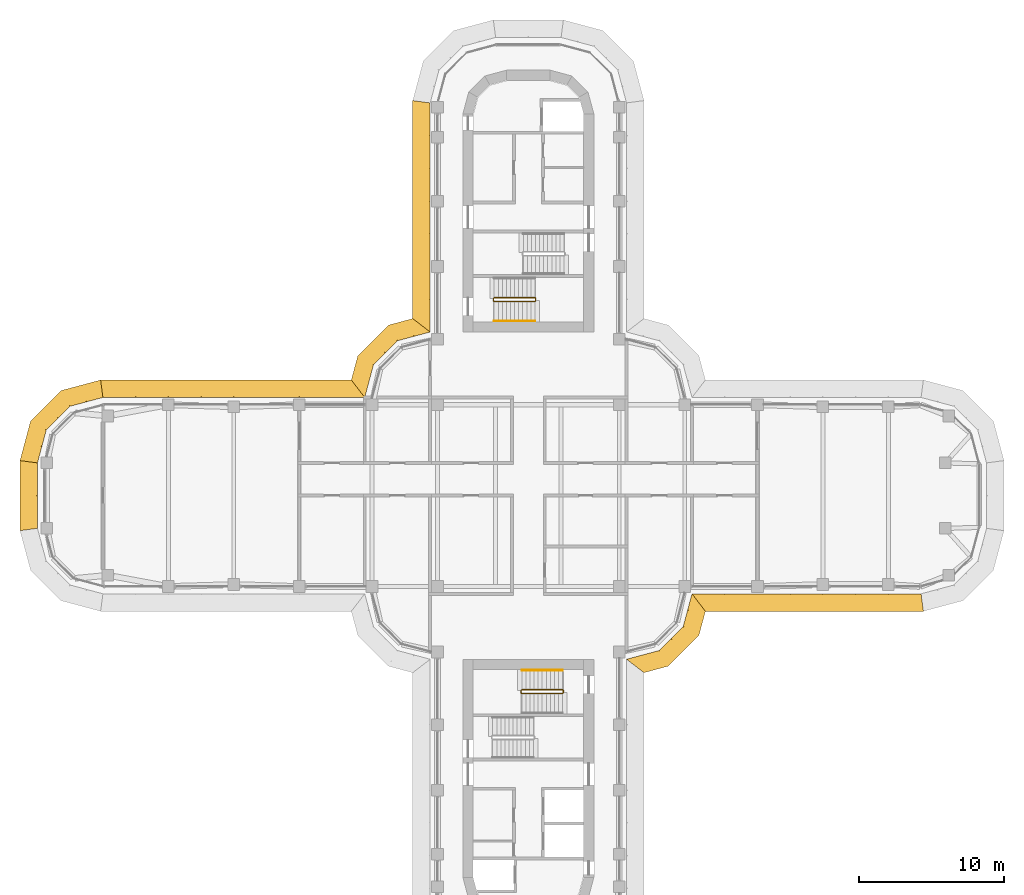
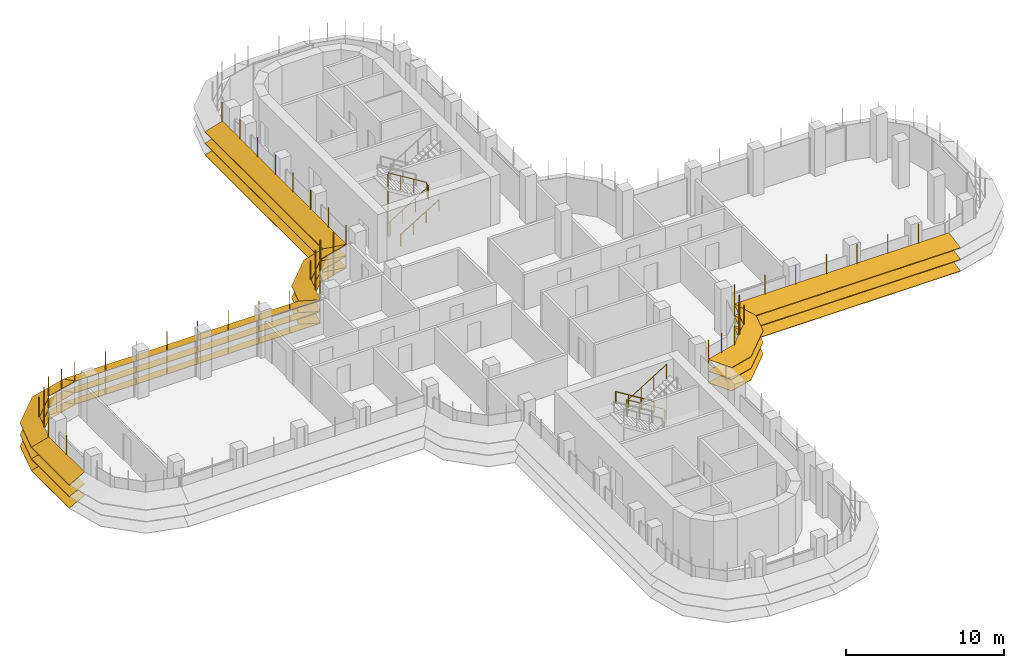
# One storey, part 18 of 20: 7 shading devices, 4 railings.
"""IFC4 building model written with IfcOpenShell, lengths in metres."""

from ifc_helpers import new_model, si_unit, direction, frame, origin, origin_2d, place, context, subcontext, project, spatial, polyline, circle, outline, extrude, faceted_brep, source, transform, mapped, material, type_object, element, save


model = new_model("IFC4")

# Units and contexts
model_context = context("Model", 3, precision=1e-05, world=origin(), true_north=direction((0.0, 1.0)))
body_context = subcontext(model_context, "Body", "Model", "MODEL_VIEW")
ifc_project = project(units=[si_unit("LENGTHUNIT", "METRE"), si_unit("AREAUNIT", "SQUARE_METRE"), si_unit("VOLUMEUNIT", "CUBIC_METRE"), si_unit("PLANEANGLEUNIT", "RADIAN"), si_unit("MASSUNIT", "GRAM", prefix="KILO")], contexts=[model_context])

# Site, building, storey
site_placement = place(None, origin())
site = spatial("IfcSite", under=ifc_project, at=site_placement, CompositionType="ELEMENT")
building_placement = place(site_placement, origin())
building = spatial("IfcBuilding", under=site, at=building_placement, Name="Zarbagh Exchange Tower", CompositionType="ELEMENT")
storey_placement = place(building_placement, frame((0.0, 0.0, 148.60009765625)))
storey = spatial("IfcBuildingStorey", under=building, at=storey_placement, Name="L35", CompositionType="ELEMENT", Elevation=148.60009765625)

# Railings
ifc_material_1 = material(Name="Stainless steel", Category="steel")
railing_type_1 = type_object("IfcRailingType", Name="Stair guard 1100 mm", PredefinedType="GUARDRAIL", material=ifc_material_1)
railing_1_placement = place(storey_placement, frame((0.5, 13.39990234375, 1.89990234375)))
element("IfcRailing", 1, at=railing_1_placement, inside=storey, type_object=railing_type_1, Name="ST2 stair guard 1", PredefinedType="GUARDRAIL", context=body_context, shape_type="SweptSolid", body=[
    extrude(circle(Radius=0.02392578125, at=origin_2d()), frame((0.0, 0.0, 1.076171875), z_axis=(0.0, 1.0, 0.0), x_axis=(-1.0, 0.0, 0.0)), (0.0, 0.0, 1.0), 0.150146484375),
    extrude(circle(Radius=0.02392578125, at=origin_2d()), frame((0.0, 0.150146484375, 1.076171875), z_axis=(-0.268277960024, 0.268277960024, 0.925231793839), x_axis=(-0.707106781187, -0.707106781187, 0.0)), (0.0, 0.0, 1.0), 0.1865234375),
    extrude(circle(Radius=0.02392578125, at=origin_2d()), frame((-0.050048828125, 0.2001953125, 1.24853515625), z_axis=(-0.851089632645, 0.0, 0.525020415988), x_axis=(0.0, -1.0, 0.0)), (0.0, 0.0, 1.0), 3.2900390625),
    extrude(circle(Radius=0.02392578125, at=origin_2d()), frame((-2.85009765625, 0.2001953125, 2.97607421875), z_axis=(-0.013104908129, -0.013169147875, -0.999827402569), x_axis=(0.708833529934, -0.705375805398, 0.0)), (0.0, 0.0, 1.0), 3.800537109375),
    extrude(circle(Radius=0.02392578125, at=origin_2d()), frame((-2.89990234375, 0.150146484375, -0.82373046875), z_axis=(0.0, -1.0, 0.0), x_axis=(1.0, 0.0, 0.0)), (0.0, 0.0, 1.0), 0.150146484375),
    extrude(circle(Radius=0.02392578125, at=origin_2d()), frame((-2.89990234375, 0.0, -0.82373046875), z_axis=(0.26715648603, -0.26715648603, 0.925880566782), x_axis=(0.707106781187, 0.707106781187, 0.0)), (0.0, 0.0, 1.0), 0.1865234375),
    extrude(circle(Radius=0.02392578125, at=origin_2d()), frame((-2.85009765625, -0.0498046875, -0.6513671875), z_axis=(0.851089632645, 0.0, 0.525020415988), x_axis=(0.0, 1.0, 0.0)), (0.0, 0.0, 1.0), 3.2900390625),
    extrude(circle(Radius=0.02099609375, at=origin_2d()), origin(), (0.0, 0.0, 1.0), 1.052001953125),
    extrude(circle(Radius=0.02099609375, at=origin_2d()), frame((0.0, 0.150146484375, 0.0)), (0.0, 0.0, 1.0), 1.052001953125),
    extrude(circle(Radius=0.02099609375, at=origin_2d()), frame((-0.050048828125, 0.2001953125, 0.172607421875)), (0.0, 0.0, 1.0), 1.052001953125),
    extrude(circle(Radius=0.02099609375, at=origin_2d()), frame((-0.9833984375, 0.2001953125, 0.748291015625)), (0.0, 0.0, 1.0), 1.052001953125),
    extrude(circle(Radius=0.02099609375, at=origin_2d()), frame((-1.916748046875, 0.2001953125, 1.32421875)), (0.0, 0.0, 1.0), 1.052001953125),
    extrude(circle(Radius=0.02099609375, at=origin_2d()), frame((-2.85009765625, 0.2001953125, 1.89990234375)), (0.0, 0.0, 1.0), 1.052001953125),
    extrude(circle(Radius=0.02099609375, at=origin_2d()), frame((-2.862548828125, 0.187744140625, 0.949951171875)), (0.0, 0.0, 1.0), 1.052001953125),
    extrude(circle(Radius=0.02099609375, at=origin_2d()), frame((-2.875, 0.17529296875, 0.0)), (0.0, 0.0, 1.0), 1.052001953125),
    extrude(circle(Radius=0.02099609375, at=origin_2d()), frame((-2.887451171875, 0.16259765625, -0.949951171875)), (0.0, 0.0, 1.0), 1.052001953125),
    extrude(circle(Radius=0.02099609375, at=origin_2d()), frame((-2.89990234375, 0.150146484375, -1.89990234375)), (0.0, 0.0, 1.0), 1.052001953125),
    extrude(circle(Radius=0.02099609375, at=origin_2d()), frame((-2.89990234375, 0.0, -1.89990234375)), (0.0, 0.0, 1.0), 1.052001953125),
    extrude(circle(Radius=0.02099609375, at=origin_2d()), frame((-2.85009765625, -0.0498046875, -1.727294921875)), (0.0, 0.0, 1.0), 1.052001953125),
    extrude(circle(Radius=0.02099609375, at=origin_2d()), frame((-1.916748046875, -0.0498046875, -1.151611328125)), (0.0, 0.0, 1.0), 1.052001953125),
    extrude(circle(Radius=0.02099609375, at=origin_2d()), frame((-0.9833984375, -0.0498046875, -0.57568359375)), (0.0, 0.0, 1.0), 1.052001953125),
    extrude(circle(Radius=0.02099609375, at=origin_2d()), frame((-0.050048828125, -0.0498046875, 0.0)), (0.0, 0.0, 1.0), 1.052001953125),
])
railing_2_placement = place(storey_placement, frame((-0.5, -13.39990234375, 1.89990234375)))
element("IfcRailing", 2, at=railing_2_placement, inside=storey, type_object=railing_type_1, Name="ST4 stair guard 1", PredefinedType="GUARDRAIL", context=body_context, shape_type="SweptSolid", body=[
    extrude(circle(Radius=0.02392578125, at=origin_2d()), frame((0.0, 0.0, 1.076171875), z_axis=(0.0, -1.0, 0.0), x_axis=(1.0, 0.0, 0.0)), (0.0, 0.0, 1.0), 0.150146484375),
    extrude(circle(Radius=0.02392578125, at=origin_2d()), frame((0.0, -0.150146484375, 1.076171875), z_axis=(0.268277960024, -0.268277960024, 0.925231793839), x_axis=(0.707106781187, 0.707106781187, 0.0)), (0.0, 0.0, 1.0), 0.1865234375),
    extrude(circle(Radius=0.02392578125, at=origin_2d()), frame((0.050048828125, -0.2001953125, 1.24853515625), z_axis=(0.851089632645, 0.0, 0.525020415988), x_axis=(0.0, 1.0, 0.0)), (0.0, 0.0, 1.0), 3.2900390625),
    extrude(circle(Radius=0.02392578125, at=origin_2d()), frame((2.85009765625, -0.2001953125, 2.97607421875), z_axis=(0.013104908129, 0.013169147875, -0.999827402569), x_axis=(-0.708833529934, 0.705375805398, 0.0)), (0.0, 0.0, 1.0), 3.800537109375),
    extrude(circle(Radius=0.02392578125, at=origin_2d()), frame((2.89990234375, -0.150146484375, -0.82373046875), z_axis=(0.0, 1.0, 0.0), x_axis=(-1.0, 0.0, 0.0)), (0.0, 0.0, 1.0), 0.150146484375),
    extrude(circle(Radius=0.02392578125, at=origin_2d()), frame((2.89990234375, 0.0, -0.82373046875), z_axis=(-0.26715648603, 0.26715648603, 0.925880566782), x_axis=(-0.707106781187, -0.707106781187, 0.0)), (0.0, 0.0, 1.0), 0.1865234375),
    extrude(circle(Radius=0.02392578125, at=origin_2d()), frame((2.85009765625, 0.0498046875, -0.6513671875), z_axis=(-0.851089632645, 0.0, 0.525020415988), x_axis=(0.0, -1.0, 0.0)), (0.0, 0.0, 1.0), 3.2900390625),
    extrude(circle(Radius=0.02099609375, at=origin_2d()), origin(), (0.0, 0.0, 1.0), 1.052001953125),
    extrude(circle(Radius=0.02099609375, at=origin_2d()), frame((0.0, -0.150146484375, 0.0)), (0.0, 0.0, 1.0), 1.052001953125),
    extrude(circle(Radius=0.02099609375, at=origin_2d()), frame((0.050048828125, -0.2001953125, 0.172607421875)), (0.0, 0.0, 1.0), 1.052001953125),
    extrude(circle(Radius=0.02099609375, at=origin_2d()), frame((0.9833984375, -0.2001953125, 0.748291015625)), (0.0, 0.0, 1.0), 1.052001953125),
    extrude(circle(Radius=0.02099609375, at=origin_2d()), frame((1.916748046875, -0.2001953125, 1.32421875)), (0.0, 0.0, 1.0), 1.052001953125),
    extrude(circle(Radius=0.02099609375, at=origin_2d()), frame((2.85009765625, -0.2001953125, 1.89990234375)), (0.0, 0.0, 1.0), 1.052001953125),
    extrude(circle(Radius=0.02099609375, at=origin_2d()), frame((2.862548828125, -0.187744140625, 0.949951171875)), (0.0, 0.0, 1.0), 1.052001953125),
    extrude(circle(Radius=0.02099609375, at=origin_2d()), frame((2.875, -0.17529296875, 0.0)), (0.0, 0.0, 1.0), 1.052001953125),
    extrude(circle(Radius=0.02099609375, at=origin_2d()), frame((2.887451171875, -0.16259765625, -0.949951171875)), (0.0, 0.0, 1.0), 1.052001953125),
    extrude(circle(Radius=0.02099609375, at=origin_2d()), frame((2.89990234375, -0.150146484375, -1.89990234375)), (0.0, 0.0, 1.0), 1.052001953125),
    extrude(circle(Radius=0.02099609375, at=origin_2d()), frame((2.89990234375, 0.0, -1.89990234375)), (0.0, 0.0, 1.0), 1.052001953125),
    extrude(circle(Radius=0.02099609375, at=origin_2d()), frame((2.85009765625, 0.0498046875, -1.727294921875)), (0.0, 0.0, 1.0), 1.052001953125),
    extrude(circle(Radius=0.02099609375, at=origin_2d()), frame((1.916748046875, 0.0498046875, -1.151611328125)), (0.0, 0.0, 1.0), 1.052001953125),
    extrude(circle(Radius=0.02099609375, at=origin_2d()), frame((0.9833984375, 0.0498046875, -0.57568359375)), (0.0, 0.0, 1.0), 1.052001953125),
    extrude(circle(Radius=0.02099609375, at=origin_2d()), frame((0.050048828125, 0.0498046875, 0.0)), (0.0, 0.0, 1.0), 1.052001953125),
])
railing_type_2 = type_object("IfcRailingType", Name="Stair handrail 900 mm", PredefinedType="HANDRAIL", material=ifc_material_1)
railing_3_placement = place(storey_placement, frame((-2.35009765625, 12.0, 0.172607421875)))
element("IfcRailing", 3, at=railing_3_placement, inside=storey, type_object=railing_type_2, Name="ST2 stair handrail 1", PredefinedType="HANDRAIL", context=body_context, shape_type="SweptSolid", body=[
    extrude(circle(Radius=0.02392578125, at=origin_2d()), frame((0.0, 0.0, 0.8759765625), z_axis=(0.851089632645, 0.0, 0.525020415988), x_axis=(0.0, 1.0, 0.0)), (0.0, 0.0, 1.0), 3.2900390625),
    extrude(circle(Radius=0.02099609375, at=origin_2d()), origin(), (0.0, 0.0, 1.0), 0.851806640625),
    extrude(circle(Radius=0.02099609375, at=origin_2d()), frame((0.933349609375, 0.0, 0.57568359375)), (0.0, 0.0, 1.0), 0.851806640625),
    extrude(circle(Radius=0.02099609375, at=origin_2d()), frame((1.86669921875, 0.0, 1.151611328125)), (0.0, 0.0, 1.0), 0.851806640625),
    extrude(circle(Radius=0.02099609375, at=origin_2d()), frame((2.800048828125, 0.0, 1.727294921875)), (0.0, 0.0, 1.0), 0.851806640625),
])
railing_4_placement = place(storey_placement, frame((2.35009765625, -12.0, 0.172607421875)))
element("IfcRailing", 4, at=railing_4_placement, inside=storey, type_object=railing_type_2, Name="ST4 stair handrail 1", PredefinedType="HANDRAIL", context=body_context, shape_type="SweptSolid", body=[
    extrude(circle(Radius=0.02392578125, at=origin_2d()), frame((0.0, 0.0, 0.8759765625), z_axis=(-0.851089632645, 0.0, 0.525020415988), x_axis=(0.0, -1.0, 0.0)), (0.0, 0.0, 1.0), 3.2900390625),
    extrude(circle(Radius=0.02099609375, at=origin_2d()), origin(), (0.0, 0.0, 1.0), 0.851806640625),
    extrude(circle(Radius=0.02099609375, at=origin_2d()), frame((-0.933349609375, 0.0, 0.57568359375)), (0.0, 0.0, 1.0), 0.851806640625),
    extrude(circle(Radius=0.02099609375, at=origin_2d()), frame((-1.86669921875, 0.0, 1.151611328125)), (0.0, 0.0, 1.0), 0.851806640625),
    extrude(circle(Radius=0.02099609375, at=origin_2d()), frame((-2.800048828125, 0.0, 1.727294921875)), (0.0, 0.0, 1.0), 0.851806640625),
])

# Shading devices
ifc_material_2 = material(Name="Anodised aluminium blades and brackets", Category="aluminium")
shading_device_type = type_object("IfcShadingDeviceType", Name="SUNSHADE louvre band, 22.5 degree blades", PredefinedType="JALOUSIE", material=ifc_material_2)
shared_shape_1 = source(origin(), body_context, "Body", "Brep", [
    faceted_brep([(0.0, 0.0, 0.0), (0.0, 0.0, -0.043212890625), (-0.157958984375, -1.199951171875, -0.540283203125), (-0.157958984375, -1.199951171875, -0.4970703125), (2.65087890625, -1.199951171875, -0.4970703125), (2.65087890625, -1.199951171875, -0.540283203125), (2.329345703125, 0.0, -0.043212890625), (2.329345703125, 0.0, 0.0)], [[[0, 1, 2, 3]], [[4, 5, 6, 7]], [[0, 7, 6, 1]], [[1, 6, 5, 2]], [[2, 5, 4, 3]], [[3, 4, 7, 0]]]),
])
shared_shape_2 = source(origin(), body_context, "Body", "Brep", [
    faceted_brep([(0.0, 0.0, 0.0), (0.0, 0.0, -0.043212890625), (-0.321533203125, -1.199951171875, -0.540283203125), (-0.321533203125, -1.199951171875, -0.4970703125), (2.65087890625, -1.199951171875, -0.4970703125), (2.65087890625, -1.199951171875, -0.540283203125), (2.329345703125, 0.0, -0.043212890625), (2.329345703125, 0.0, 0.0)], [[[0, 1, 2, 3]], [[4, 5, 6, 7]], [[0, 7, 6, 1]], [[1, 6, 5, 2]], [[2, 5, 4, 3]], [[3, 4, 7, 0]]]),
])
shared_shape_3 = source(origin(), body_context, "Body", "Brep", [
    faceted_brep([(0.0, 0.0, 0.0), (0.0, 0.0, -0.043212890625), (-0.321533203125, -1.199951171875, -0.540283203125), (-0.321533203125, -1.199951171875, -0.4970703125), (2.4873046875, -1.199951171875, -0.4970703125), (2.4873046875, -1.199951171875, -0.540283203125), (2.329345703125, 0.0, -0.043212890625), (2.329345703125, 0.0, 0.0)], [[[0, 1, 2, 3]], [[4, 5, 6, 7]], [[0, 7, 6, 1]], [[1, 6, 5, 2]], [[2, 5, 4, 3]], [[3, 4, 7, 0]]]),
])
shared_shape_4 = source(origin(), body_context, "Body", "SweptSolid", [
    extrude(outline(polyline([(0.0, -0.012451171875), (0.06005859375, -0.012451171875), (0.06005859375, 0.012451171875), (0.0, 0.012451171875), (0.0, -0.012451171875)])), origin(), (0.0, 0.0, 1.0), 3.353271484375),
])
placement = place(storey_placement, origin())
element("IfcShadingDevice", 5, at=placement, inside=storey, type_object=shading_device_type, Name="SS17 sunshade band", PredefinedType="JALOUSIE", context=body_context, shape_type="MappedRepresentation", body=[
    mapped(shared_shape_1, transform((-29.25, 6.75, 2.2998046875), x_axis=(-0.965924289636, -0.258824779902, 0.0), y_axis=(0.258824779902, -0.965924289636, 0.0), z_axis=(0.0, 0.0, 1.0))),
    mapped(shared_shape_1, transform((-29.25, 6.75, 1.39990234375), x_axis=(-0.965924289636, -0.258824779902, 0.0), y_axis=(0.258824779902, -0.965924289636, 0.0), z_axis=(0.0, 0.0, 1.0))),
    mapped(shared_shape_1, transform((-29.25, 6.75, 0.5), x_axis=(-0.965924289636, -0.258824779902, 0.0), y_axis=(0.258824779902, -0.965924289636, 0.0), z_axis=(0.0, 0.0, 1.0))),
    mapped(shared_shape_2, transform((-31.5, 6.147216796875, 2.2998046875), x_axis=(-0.707106781187, -0.707106781187, 0.0), y_axis=(0.707106781187, -0.707106781187, 0.0), z_axis=(0.0, 0.0, 1.0))),
    mapped(shared_shape_2, transform((-31.5, 6.147216796875, 1.39990234375), x_axis=(-0.707106781187, -0.707106781187, 0.0), y_axis=(0.707106781187, -0.707106781187, 0.0), z_axis=(0.0, 0.0, 1.0))),
    mapped(shared_shape_2, transform((-31.5, 6.147216796875, 0.5), x_axis=(-0.707106781187, -0.707106781187, 0.0), y_axis=(0.707106781187, -0.707106781187, 0.0), z_axis=(0.0, 0.0, 1.0))),
    mapped(shared_shape_3, transform((-33.147216796875, 4.5, 2.2998046875), x_axis=(-0.258824779902, -0.965924289636, 0.0), y_axis=(0.965924289636, -0.258824779902, 0.0), z_axis=(0.0, 0.0, 1.0))),
    mapped(shared_shape_3, transform((-33.147216796875, 4.5, 1.39990234375), x_axis=(-0.258824779902, -0.965924289636, 0.0), y_axis=(0.965924289636, -0.258824779902, 0.0), z_axis=(0.0, 0.0, 1.0))),
    mapped(shared_shape_3, transform((-33.147216796875, 4.5, 0.5), x_axis=(-0.258824779902, -0.965924289636, 0.0), y_axis=(0.965924289636, -0.258824779902, 0.0), z_axis=(0.0, 0.0, 1.0))),
    mapped(shared_shape_4, transform((-29.25, 6.75, 0.426513671875), x_axis=(-0.130529263012, 0.991444457092, 0.0), y_axis=(-0.991444457092, -0.130529263012, 0.0), z_axis=(0.0, 0.0, 1.0))),
    mapped(shared_shape_4, transform((-30.375, 6.448486328125, 0.426513671875), x_axis=(-0.258825058029, 0.96592421511, 0.0), y_axis=(-0.96592421511, -0.258825058029, 0.0), z_axis=(0.0, 0.0, 1.0))),
    mapped(shared_shape_4, transform((-31.5, 6.147216796875, 0.426513671875), x_axis=(-0.50000275701, 0.866023812018, 0.0), y_axis=(-0.866023812018, -0.50000275701, 0.0), z_axis=(0.0, 0.0, 1.0))),
    mapped(shared_shape_4, transform((-32.323486328125, 5.323486328125, 0.426513671875), x_axis=(-0.707106781187, 0.707106781187, 0.0), y_axis=(-0.707106781187, -0.707106781187, 0.0), z_axis=(0.0, 0.0, 1.0))),
    mapped(shared_shape_4, transform((-33.147216796875, 4.5, 0.426513671875), x_axis=(-0.866023812018, 0.50000275701, 0.0), y_axis=(-0.50000275701, -0.866023812018, 0.0), z_axis=(0.0, 0.0, 1.0))),
    mapped(shared_shape_4, transform((-33.448486328125, 3.375, 0.426513671875), x_axis=(-0.96592421511, 0.258825058029, 0.0), y_axis=(-0.258825058029, -0.96592421511, 0.0), z_axis=(0.0, 0.0, 1.0))),
])
shared_shape_5 = source(origin(), body_context, "Body", "Brep", [
    faceted_brep([(0.0, 0.0, 0.0), (0.0, 0.0, -0.043212890625), (0.9208984375, -1.199951171875, -0.540283203125), (0.9208984375, -1.199951171875, -0.4970703125), (2.65087890625, -1.199951171875, -0.4970703125), (2.65087890625, -1.199951171875, -0.540283203125), (2.329345703125, 0.0, -0.043212890625), (2.329345703125, 0.0, 0.0)], [[[0, 1, 2, 3]], [[4, 5, 6, 7]], [[0, 7, 6, 1]], [[1, 6, 5, 2]], [[2, 5, 4, 3]], [[3, 4, 7, 0]]]),
])
shared_shape_6 = source(origin(), body_context, "Body", "Brep", [
    faceted_brep([(0.0, 0.0, 0.0), (0.0, 0.0, -0.043212890625), (-0.321533203125, -1.199951171875, -0.540283203125), (-0.321533203125, -1.199951171875, -0.4970703125), (1.40869140625, -1.199951171875, -0.4970703125), (1.40869140625, -1.199951171875, -0.540283203125), (2.329345703125, 0.0, -0.043212890625), (2.329345703125, 0.0, 0.0)], [[[0, 1, 2, 3]], [[4, 5, 6, 7]], [[0, 7, 6, 1]], [[1, 6, 5, 2]], [[2, 5, 4, 3]], [[3, 4, 7, 0]]]),
])
element("IfcShadingDevice", 6, at=placement, inside=storey, type_object=shading_device_type, Name="SS03 sunshade band", PredefinedType="JALOUSIE", context=body_context, shape_type="MappedRepresentation", body=[
    mapped(shared_shape_5, transform((6.75, -11.25, 2.2998046875), x_axis=(0.965924289636, 0.258824779902, 0.0), y_axis=(-0.258824779902, 0.965924289636, 0.0), z_axis=(0.0, 0.0, 1.0))),
    mapped(shared_shape_5, transform((6.75, -11.25, 1.39990234375), x_axis=(0.965924289636, 0.258824779902, 0.0), y_axis=(-0.258824779902, 0.965924289636, 0.0), z_axis=(0.0, 0.0, 1.0))),
    mapped(shared_shape_5, transform((6.75, -11.25, 0.5), x_axis=(0.965924289636, 0.258824779902, 0.0), y_axis=(-0.258824779902, 0.965924289636, 0.0), z_axis=(0.0, 0.0, 1.0))),
    mapped(shared_shape_2, transform((9.0, -10.647216796875, 2.2998046875), x_axis=(0.707106781187, 0.707106781187, 0.0), y_axis=(-0.707106781187, 0.707106781187, 0.0), z_axis=(0.0, 0.0, 1.0))),
    mapped(shared_shape_2, transform((9.0, -10.647216796875, 1.39990234375), x_axis=(0.707106781187, 0.707106781187, 0.0), y_axis=(-0.707106781187, 0.707106781187, 0.0), z_axis=(0.0, 0.0, 1.0))),
    mapped(shared_shape_2, transform((9.0, -10.647216796875, 0.5), x_axis=(0.707106781187, 0.707106781187, 0.0), y_axis=(-0.707106781187, 0.707106781187, 0.0), z_axis=(0.0, 0.0, 1.0))),
    mapped(shared_shape_6, transform((10.647216796875, -9.0, 2.2998046875), x_axis=(0.258824779902, 0.965924289636, 0.0), y_axis=(-0.965924289636, 0.258824779902, 0.0), z_axis=(0.0, 0.0, 1.0))),
    mapped(shared_shape_6, transform((10.647216796875, -9.0, 1.39990234375), x_axis=(0.258824779902, 0.965924289636, 0.0), y_axis=(-0.965924289636, 0.258824779902, 0.0), z_axis=(0.0, 0.0, 1.0))),
    mapped(shared_shape_6, transform((10.647216796875, -9.0, 0.5), x_axis=(0.258824779902, 0.965924289636, 0.0), y_axis=(-0.965924289636, 0.258824779902, 0.0), z_axis=(0.0, 0.0, 1.0))),
    mapped(shared_shape_4, transform((6.75, -11.25, 0.426513671875), x_axis=(0.793355287, -0.608758892, 0.0), y_axis=(0.608758892, 0.793355287, 0.0), z_axis=(0.0, 0.0, 1.0))),
    mapped(shared_shape_4, transform((7.875, -10.948486328125, 0.426513671875), x_axis=(0.258825058029, -0.96592421511, 0.0), y_axis=(0.96592421511, 0.258825058029, 0.0), z_axis=(0.0, 0.0, 1.0))),
    mapped(shared_shape_4, transform((9.0, -10.647216796875, 0.426513671875), x_axis=(0.50000275701, -0.866023812018, 0.0), y_axis=(0.866023812018, 0.50000275701, 0.0), z_axis=(0.0, 0.0, 1.0))),
    mapped(shared_shape_4, transform((9.823486328125, -9.823486328125, 0.426513671875), x_axis=(0.707106781187, -0.707106781187, 0.0), y_axis=(0.707106781187, 0.707106781187, 0.0), z_axis=(0.0, 0.0, 1.0))),
    mapped(shared_shape_4, transform((10.647216796875, -9.0, 0.426513671875), x_axis=(0.866023812018, -0.50000275701, 0.0), y_axis=(0.50000275701, 0.866023812018, 0.0), z_axis=(0.0, 0.0, 1.0))),
    mapped(shared_shape_4, transform((10.948486328125, -7.875, 0.426513671875), x_axis=(0.96592421511, -0.258825058029, 0.0), y_axis=(0.258825058029, 0.96592421511, 0.0), z_axis=(0.0, 0.0, 1.0))),
])
element("IfcShadingDevice", 7, at=placement, inside=storey, type_object=shading_device_type, Name="SS15 sunshade band", PredefinedType="JALOUSIE", context=body_context, shape_type="MappedRepresentation", body=[
    mapped(shared_shape_5, transform((-6.75, 11.25, 2.2998046875), x_axis=(-0.965924289636, -0.258824779902, 0.0), y_axis=(0.258824779902, -0.965924289636, 0.0), z_axis=(0.0, 0.0, 1.0))),
    mapped(shared_shape_5, transform((-6.75, 11.25, 1.39990234375), x_axis=(-0.965924289636, -0.258824779902, 0.0), y_axis=(0.258824779902, -0.965924289636, 0.0), z_axis=(0.0, 0.0, 1.0))),
    mapped(shared_shape_5, transform((-6.75, 11.25, 0.5), x_axis=(-0.965924289636, -0.258824779902, 0.0), y_axis=(0.258824779902, -0.965924289636, 0.0), z_axis=(0.0, 0.0, 1.0))),
    mapped(shared_shape_2, transform((-9.0, 10.647216796875, 2.2998046875), x_axis=(-0.707106781187, -0.707106781187, 0.0), y_axis=(0.707106781187, -0.707106781187, 0.0), z_axis=(0.0, 0.0, 1.0))),
    mapped(shared_shape_2, transform((-9.0, 10.647216796875, 1.39990234375), x_axis=(-0.707106781187, -0.707106781187, 0.0), y_axis=(0.707106781187, -0.707106781187, 0.0), z_axis=(0.0, 0.0, 1.0))),
    mapped(shared_shape_2, transform((-9.0, 10.647216796875, 0.5), x_axis=(-0.707106781187, -0.707106781187, 0.0), y_axis=(0.707106781187, -0.707106781187, 0.0), z_axis=(0.0, 0.0, 1.0))),
    mapped(shared_shape_6, transform((-10.647216796875, 9.0, 2.2998046875), x_axis=(-0.258824779902, -0.965924289636, 0.0), y_axis=(0.965924289636, -0.258824779902, 0.0), z_axis=(0.0, 0.0, 1.0))),
    mapped(shared_shape_6, transform((-10.647216796875, 9.0, 1.39990234375), x_axis=(-0.258824779902, -0.965924289636, 0.0), y_axis=(0.965924289636, -0.258824779902, 0.0), z_axis=(0.0, 0.0, 1.0))),
    mapped(shared_shape_6, transform((-10.647216796875, 9.0, 0.5), x_axis=(-0.258824779902, -0.965924289636, 0.0), y_axis=(0.965924289636, -0.258824779902, 0.0), z_axis=(0.0, 0.0, 1.0))),
    mapped(shared_shape_4, transform((-6.75, 11.25, 0.426513671875), x_axis=(-0.793355287, 0.608758892, 0.0), y_axis=(-0.608758892, -0.793355287, 0.0), z_axis=(0.0, 0.0, 1.0))),
    mapped(shared_shape_4, transform((-7.875, 10.948486328125, 0.426513671875), x_axis=(-0.258825058029, 0.96592421511, 0.0), y_axis=(-0.96592421511, -0.258825058029, 0.0), z_axis=(0.0, 0.0, 1.0))),
    mapped(shared_shape_4, transform((-9.0, 10.647216796875, 0.426513671875), x_axis=(-0.50000275701, 0.866023812018, 0.0), y_axis=(-0.866023812018, -0.50000275701, 0.0), z_axis=(0.0, 0.0, 1.0))),
    mapped(shared_shape_4, transform((-9.823486328125, 9.823486328125, 0.426513671875), x_axis=(-0.707106781187, 0.707106781187, 0.0), y_axis=(-0.707106781187, -0.707106781187, 0.0), z_axis=(0.0, 0.0, 1.0))),
    mapped(shared_shape_4, transform((-10.647216796875, 9.0, 0.426513671875), x_axis=(-0.866023812018, 0.50000275701, 0.0), y_axis=(-0.50000275701, -0.866023812018, 0.0), z_axis=(0.0, 0.0, 1.0))),
    mapped(shared_shape_4, transform((-10.948486328125, 7.875, 0.426513671875), x_axis=(-0.96592421511, 0.258825058029, 0.0), y_axis=(-0.258825058029, -0.96592421511, 0.0), z_axis=(0.0, 0.0, 1.0))),
])
shared_shape_7 = source(origin(), body_context, "Body", "Brep", [
    faceted_brep([(0.0, 0.0, 0.0), (0.0, 0.0, -0.043212890625), (0.9208984375, -1.199951171875, -0.540283203125), (0.9208984375, -1.199951171875, -0.4970703125), (15.907958984375, -1.199951171875, -0.4970703125), (15.907958984375, -1.199951171875, -0.540283203125), (15.75, 0.0, -0.043212890625), (15.75, 0.0, 0.0)], [[[0, 1, 2, 3]], [[4, 5, 6, 7]], [[0, 7, 6, 1]], [[1, 6, 5, 2]], [[2, 5, 4, 3]], [[3, 4, 7, 0]]]),
])
element("IfcShadingDevice", 8, at=placement, inside=storey, type_object=shading_device_type, Name="SS30 sunshade band", PredefinedType="JALOUSIE", context=body_context, shape_type="MappedRepresentation", body=[
    mapped(shared_shape_7, transform((11.25, -6.75, 2.2998046875), x_axis=(1.0, 0.0, 0.0), y_axis=(0.0, 1.0, 0.0), z_axis=(0.0, 0.0, 1.0))),
    mapped(shared_shape_7, transform((11.25, -6.75, 1.39990234375), x_axis=(1.0, 0.0, 0.0), y_axis=(0.0, 1.0, 0.0), z_axis=(0.0, 0.0, 1.0))),
    mapped(shared_shape_7, transform((11.25, -6.75, 0.5), x_axis=(1.0, 0.0, 0.0), y_axis=(0.0, 1.0, 0.0), z_axis=(0.0, 0.0, 1.0))),
    mapped(shared_shape_4, transform((11.25, -6.75, 0.426513671875), x_axis=(0.608758892, -0.793355287, 0.0), y_axis=(0.793355287, 0.608758892, 0.0), z_axis=(0.0, 0.0, 1.0))),
    mapped(shared_shape_4, transform((13.5, -6.75, 0.426513671875), x_axis=(0.0, -1.0, 0.0), y_axis=(1.0, 0.0, 0.0), z_axis=(0.0, 0.0, 1.0))),
    mapped(shared_shape_4, transform((15.75, -6.75, 0.426513671875), x_axis=(0.0, -1.0, 0.0), y_axis=(1.0, 0.0, 0.0), z_axis=(0.0, 0.0, 1.0))),
    mapped(shared_shape_4, transform((18.0, -6.75, 0.426513671875), x_axis=(0.0, -1.0, 0.0), y_axis=(1.0, 0.0, 0.0), z_axis=(0.0, 0.0, 1.0))),
    mapped(shared_shape_4, transform((20.25, -6.75, 0.426513671875), x_axis=(0.0, -1.0, 0.0), y_axis=(1.0, 0.0, 0.0), z_axis=(0.0, 0.0, 1.0))),
    mapped(shared_shape_4, transform((22.5, -6.75, 0.426513671875), x_axis=(0.0, -1.0, 0.0), y_axis=(1.0, 0.0, 0.0), z_axis=(0.0, 0.0, 1.0))),
    mapped(shared_shape_4, transform((24.75, -6.75, 0.426513671875), x_axis=(0.0, -1.0, 0.0), y_axis=(1.0, 0.0, 0.0), z_axis=(0.0, 0.0, 1.0))),
])
shared_shape_8 = source(origin(), body_context, "Body", "Brep", [
    faceted_brep([(0.0, 0.0, 0.0), (0.0, 0.0, -0.043212890625), (-0.157958984375, -1.199951171875, -0.540283203125), (-0.157958984375, -1.199951171875, -0.4970703125), (14.8291015625, -1.199951171875, -0.4970703125), (14.8291015625, -1.199951171875, -0.540283203125), (15.75, 0.0, -0.043212890625), (15.75, 0.0, 0.0)], [[[0, 1, 2, 3]], [[4, 5, 6, 7]], [[0, 7, 6, 1]], [[1, 6, 5, 2]], [[2, 5, 4, 3]], [[3, 4, 7, 0]]]),
])
element("IfcShadingDevice", 9, at=placement, inside=storey, type_object=shading_device_type, Name="SS29 sunshade band", PredefinedType="JALOUSIE", context=body_context, shape_type="MappedRepresentation", body=[
    mapped(shared_shape_8, transform((-6.75, 27.0, 2.2998046875), x_axis=(0.0, -1.0, 0.0), y_axis=(1.0, 0.0, 0.0), z_axis=(0.0, 0.0, 1.0))),
    mapped(shared_shape_8, transform((-6.75, 27.0, 1.39990234375), x_axis=(0.0, -1.0, 0.0), y_axis=(1.0, 0.0, 0.0), z_axis=(0.0, 0.0, 1.0))),
    mapped(shared_shape_8, transform((-6.75, 27.0, 0.5), x_axis=(0.0, -1.0, 0.0), y_axis=(1.0, 0.0, 0.0), z_axis=(0.0, 0.0, 1.0))),
    mapped(shared_shape_4, transform((-6.75, 27.0, 0.426513671875), x_axis=(-0.991444457092, 0.130529263012, 0.0), y_axis=(-0.130529263012, -0.991444457092, 0.0), z_axis=(0.0, 0.0, 1.0))),
    mapped(shared_shape_4, transform((-6.75, 24.75, 0.426513671875), x_axis=(-1.0, 0.0, 0.0), y_axis=(0.0, -1.0, 0.0), z_axis=(0.0, 0.0, 1.0))),
    mapped(shared_shape_4, transform((-6.75, 22.5, 0.426513671875), x_axis=(-1.0, 0.0, 0.0), y_axis=(0.0, -1.0, 0.0), z_axis=(0.0, 0.0, 1.0))),
    mapped(shared_shape_4, transform((-6.75, 20.25, 0.426513671875), x_axis=(-1.0, 0.0, 0.0), y_axis=(0.0, -1.0, 0.0), z_axis=(0.0, 0.0, 1.0))),
    mapped(shared_shape_4, transform((-6.75, 18.0, 0.426513671875), x_axis=(-1.0, 0.0, 0.0), y_axis=(0.0, -1.0, 0.0), z_axis=(0.0, 0.0, 1.0))),
    mapped(shared_shape_4, transform((-6.75, 15.75, 0.426513671875), x_axis=(-1.0, 0.0, 0.0), y_axis=(0.0, -1.0, 0.0), z_axis=(0.0, 0.0, 1.0))),
    mapped(shared_shape_4, transform((-6.75, 13.5, 0.426513671875), x_axis=(-1.0, 0.0, 0.0), y_axis=(0.0, -1.0, 0.0), z_axis=(0.0, 0.0, 1.0))),
])
shared_shape_9 = source(origin(), body_context, "Body", "Brep", [
    faceted_brep([(0.0, 0.0, 0.0), (0.0, 0.0, -0.043212890625), (0.9208984375, -1.199951171875, -0.540283203125), (0.9208984375, -1.199951171875, -0.4970703125), (18.157958984375, -1.199951171875, -0.4970703125), (18.157958984375, -1.199951171875, -0.540283203125), (18.0, 0.0, -0.043212890625), (18.0, 0.0, 0.0)], [[[0, 1, 2, 3]], [[4, 5, 6, 7]], [[0, 7, 6, 1]], [[1, 6, 5, 2]], [[2, 5, 4, 3]], [[3, 4, 7, 0]]]),
])
element("IfcShadingDevice", 10, at=placement, inside=storey, type_object=shading_device_type, Name="SS16 sunshade band", PredefinedType="JALOUSIE", context=body_context, shape_type="MappedRepresentation", body=[
    mapped(shared_shape_9, transform((-11.25, 6.75, 2.2998046875), x_axis=(-1.0, 0.0, 0.0), y_axis=(0.0, -1.0, 0.0), z_axis=(0.0, 0.0, 1.0))),
    mapped(shared_shape_9, transform((-11.25, 6.75, 1.39990234375), x_axis=(-1.0, 0.0, 0.0), y_axis=(0.0, -1.0, 0.0), z_axis=(0.0, 0.0, 1.0))),
    mapped(shared_shape_9, transform((-11.25, 6.75, 0.5), x_axis=(-1.0, 0.0, 0.0), y_axis=(0.0, -1.0, 0.0), z_axis=(0.0, 0.0, 1.0))),
    mapped(shared_shape_4, transform((-11.25, 6.75, 0.426513671875), x_axis=(-0.608758892, 0.793355287, 0.0), y_axis=(-0.793355287, -0.608758892, 0.0), z_axis=(0.0, 0.0, 1.0))),
    mapped(shared_shape_4, transform((-13.5, 6.75, 0.426513671875), x_axis=(0.0, 1.0, 0.0), y_axis=(-1.0, 0.0, 0.0), z_axis=(0.0, 0.0, 1.0))),
    mapped(shared_shape_4, transform((-15.75, 6.75, 0.426513671875), x_axis=(0.0, 1.0, 0.0), y_axis=(-1.0, 0.0, 0.0), z_axis=(0.0, 0.0, 1.0))),
    mapped(shared_shape_4, transform((-18.0, 6.75, 0.426513671875), x_axis=(0.0, 1.0, 0.0), y_axis=(-1.0, 0.0, 0.0), z_axis=(0.0, 0.0, 1.0))),
    mapped(shared_shape_4, transform((-20.25, 6.75, 0.426513671875), x_axis=(0.0, 1.0, 0.0), y_axis=(-1.0, 0.0, 0.0), z_axis=(0.0, 0.0, 1.0))),
    mapped(shared_shape_4, transform((-22.5, 6.75, 0.426513671875), x_axis=(0.0, 1.0, 0.0), y_axis=(-1.0, 0.0, 0.0), z_axis=(0.0, 0.0, 1.0))),
    mapped(shared_shape_4, transform((-24.75, 6.75, 0.426513671875), x_axis=(0.0, 1.0, 0.0), y_axis=(-1.0, 0.0, 0.0), z_axis=(0.0, 0.0, 1.0))),
    mapped(shared_shape_4, transform((-27.0, 6.75, 0.426513671875), x_axis=(0.0, 1.0, 0.0), y_axis=(-1.0, 0.0, 0.0), z_axis=(0.0, 0.0, 1.0))),
])
shared_shape_10 = source(origin(), body_context, "Body", "Brep", [
    faceted_brep([(0.0, 0.0, 0.0), (0.0, 0.0, -0.043212890625), (-0.157958984375, -1.199951171875, -0.540283203125), (-0.157958984375, -1.199951171875, -0.4970703125), (4.657958984375, -1.199951171875, -0.4970703125), (4.657958984375, -1.199951171875, -0.540283203125), (4.5, 0.0, -0.043212890625), (4.5, 0.0, 0.0)], [[[0, 1, 2, 3]], [[4, 5, 6, 7]], [[0, 7, 6, 1]], [[1, 6, 5, 2]], [[2, 5, 4, 3]], [[3, 4, 7, 0]]]),
])
element("IfcShadingDevice", 11, at=placement, inside=storey, type_object=shading_device_type, Name="SS18 sunshade band", PredefinedType="JALOUSIE", context=body_context, shape_type="MappedRepresentation", body=[
    mapped(shared_shape_10, transform((-33.75, 2.25, 2.2998046875), x_axis=(0.0, -1.0, 0.0), y_axis=(1.0, 0.0, 0.0), z_axis=(0.0, 0.0, 1.0))),
    mapped(shared_shape_10, transform((-33.75, 2.25, 1.39990234375), x_axis=(0.0, -1.0, 0.0), y_axis=(1.0, 0.0, 0.0), z_axis=(0.0, 0.0, 1.0))),
    mapped(shared_shape_10, transform((-33.75, 2.25, 0.5), x_axis=(0.0, -1.0, 0.0), y_axis=(1.0, 0.0, 0.0), z_axis=(0.0, 0.0, 1.0))),
    mapped(shared_shape_4, transform((-33.75, 2.25, 0.426513671875), x_axis=(-0.991444457092, 0.130529263012, 0.0), y_axis=(-0.130529263012, -0.991444457092, 0.0), z_axis=(0.0, 0.0, 1.0))),
    mapped(shared_shape_4, transform((-33.75, 0.0, 0.426513671875), x_axis=(-1.0, 0.0, 0.0), y_axis=(0.0, -1.0, 0.0), z_axis=(0.0, 0.0, 1.0))),
])

save(model, "model.ifc")
